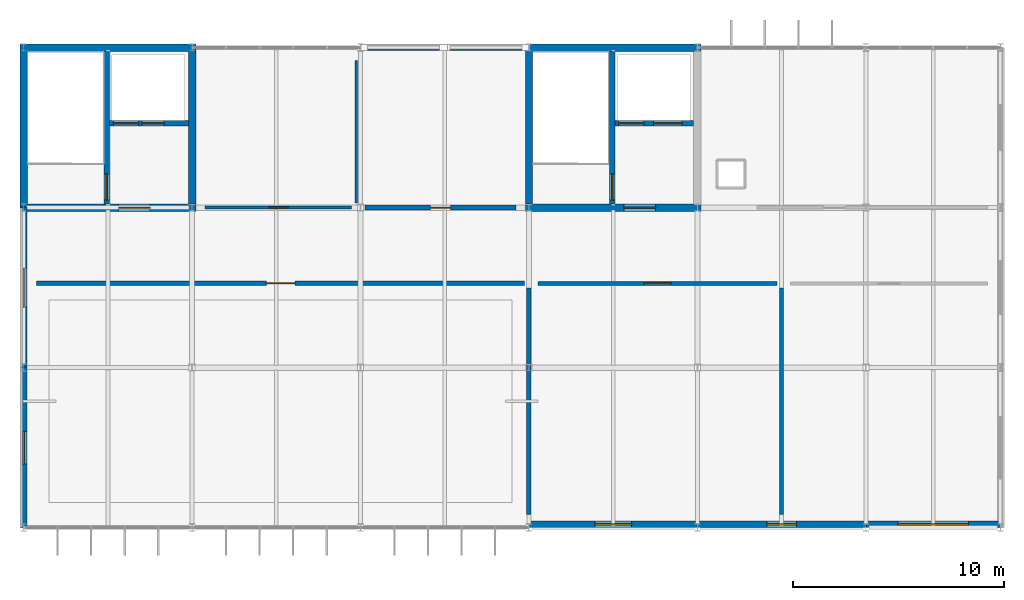
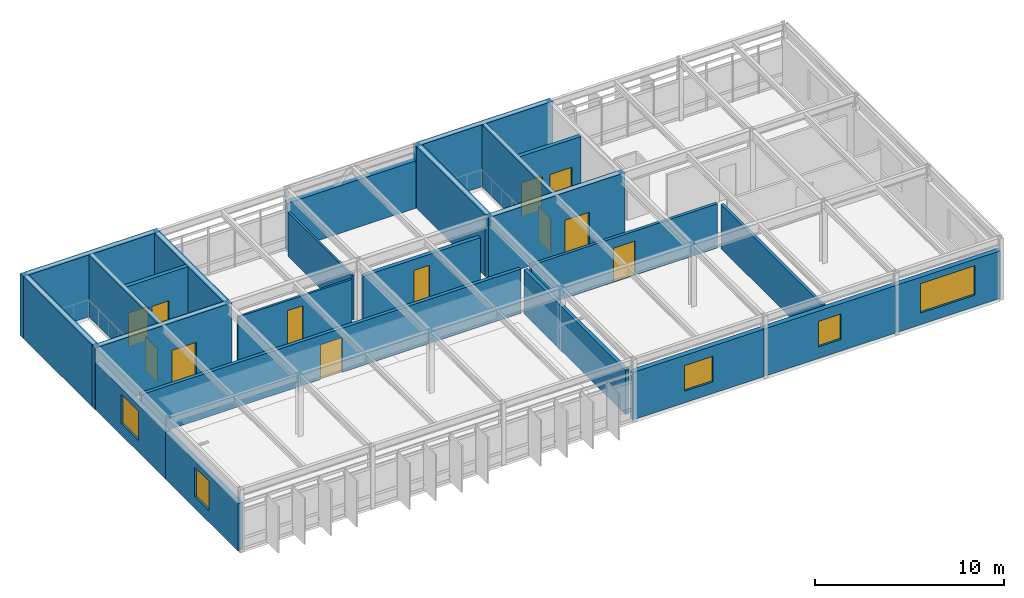
# One storey, part 14 of 17: 24 walls, 12 doors, 5 windows, 17 openings.
"""IFC4 building model written with IfcOpenShell, lengths in metres."""

import ifcopenshell
import ifcopenshell.guid

model = None  # the IFC model being written
_history = None  # IfcOwnerHistory: only IFC2X3 demands one
_inside = {}  # id of a spatial element -> (the spatial element, [elements in it])
_under = {}  # id of a project, library or spatial element -> (it, [spatial elements below it])
_declared = {}  # id of a project -> (the project, [libraries it declares])
_typed = {}  # id of a type object -> (the type object, [elements of that type])
_made_of = {}  # id of a material, layer set ... -> (it, [elements and type objects made of it])


def new_model(schema):
    """Start an empty IFC model of exactly this schema.

    Asked for "IFC4X3", IfcOpenShell would pick the latest addendum, in which some entities
    have other attributes; the version numbers below select the first issue.
    IFC2X3 requires an IfcOwnerHistory on every rooted entity: one is made here for all.
    """
    global model, _history
    if schema == "IFC4X3":
        model = ifcopenshell.file(schema_version=(4, 3, 0, 0))
    else:
        model = ifcopenshell.file(schema=schema)
    _inside.clear()
    _under.clear()
    _declared.clear()
    _typed.clear()
    _made_of.clear()
    _history = None
    if model.schema == "IFC2X3":
        org = make("IfcOrganization", Name="unknown")
        user = make(
            "IfcPersonAndOrganization",
            ThePerson=make("IfcPerson", FamilyName="unknown"),
            TheOrganization=org,
        )
        app = make(
            "IfcApplication",
            ApplicationDeveloper=org,
            Version="unknown",
            ApplicationFullName="unknown",
            ApplicationIdentifier="unknown",
        )
        _history = make(
            "IfcOwnerHistory",
            OwningUser=user,
            OwningApplication=app,
            ChangeAction="ADDED",
            CreationDate=0,
        )
    return model


def make(cls, **values):
    """One entity of the class cls with the attributes given. An attribute that is None is left unset."""
    return model.create_entity(
        cls, **{name: value for name, value in values.items() if value is not None}
    )


def rooted(cls, **values):
    """An entity with a GlobalId (a new one), such as an element, a storey or a relation."""
    return make(cls, GlobalId=ifcopenshell.guid.new(), OwnerHistory=_history, **values)


def si_unit(unit_type, name, prefix=None):
    """IfcSIUnit, for example si_unit("LENGTHUNIT", "METRE", prefix="MILLI")."""
    return make("IfcSIUnit", UnitType=unit_type, Prefix=prefix, Name=name)


def assignment(units):
    """IfcUnitAssignment: the units of a project."""
    return None if units is None else make("IfcUnitAssignment", Units=units)


def point(xyz):
    """IfcCartesianPoint."""
    return None if xyz is None else make("IfcCartesianPoint", Coordinates=xyz)


def direction(xyz):
    """IfcDirection."""
    return None if xyz is None else make("IfcDirection", DirectionRatios=xyz)


def frame(location, z_axis=None, x_axis=None):
    """IfcAxis2Placement3D, a coordinate frame: its origin and axes. An axis left out is left unset."""
    return make(
        "IfcAxis2Placement3D",
        Location=point(location),
        Axis=direction(z_axis),
        RefDirection=direction(x_axis),
    )


def frame_2d(location, x_axis=None):
    """IfcAxis2Placement2D, a coordinate frame in the plane: its origin and x axis."""
    return make(
        "IfcAxis2Placement2D", Location=point(location), RefDirection=direction(x_axis)
    )


def origin():
    """The frame at (0, 0, 0) with its axes left unset."""
    return frame((0.0, 0.0, 0.0))


def place(relative_to, where):
    """IfcLocalPlacement: puts the frame where relative to a parent placement (None: the world)."""
    return make(
        "IfcLocalPlacement", PlacementRelTo=relative_to, RelativePlacement=where
    )


def context(
    kind, dimensions, precision=None, world=None, true_north=None, identifier=None
):
    """IfcGeometricRepresentationContext, for example the 3D "Model" context."""
    return make(
        "IfcGeometricRepresentationContext",
        ContextIdentifier=identifier,
        ContextType=kind,
        CoordinateSpaceDimension=dimensions,
        Precision=precision,
        WorldCoordinateSystem=world,
        TrueNorth=true_north,
    )


def subcontext(parent, identifier, kind, view, scale=None):
    """IfcGeometricRepresentationSubContext, for example "Body" below "Model"."""
    return make(
        "IfcGeometricRepresentationSubContext",
        ContextIdentifier=identifier,
        ContextType=kind,
        ParentContext=parent,
        TargetScale=scale,
        TargetView=view,
    )


def project(units=None, contexts=None):
    """IfcProject with its units and contexts."""
    return rooted(
        "IfcProject",
        Name="project",
        RepresentationContexts=contexts,
        UnitsInContext=assignment(units),
    )


def spatial(cls, under=None, at=None, **own):
    """A site, building, storey or space (cls), placed at a placement, below another one or the project."""
    s = rooted(cls, ObjectPlacement=at, **own)
    if under is not None:
        _under.setdefault(under.id(), (under, []))[1].append(s)
    return s


def profile(cls, at=None, kind="AREA", **sizes):
    """A parametric profile (cls). Its sizes go by their IFC names, for example OverallWidth=200.0."""
    return make(cls, ProfileType=kind, Position=at, **sizes)


def rectangle(**sizes):
    """IfcRectangleProfileDef."""
    return profile("IfcRectangleProfileDef", **sizes)


def extrude(swept, where, along, depth):
    """IfcExtrudedAreaSolid: the profile swept, set in the frame where, extruded along a direction by depth."""
    return make(
        "IfcExtrudedAreaSolid",
        SweptArea=swept,
        Position=where,
        ExtrudedDirection=direction(along),
        Depth=depth,
    )


def shape(context_of_items, identifier, shape_type, items):
    """IfcShapeRepresentation: the items that make up one representation, for example the "Body"."""
    return make(
        "IfcShapeRepresentation",
        ContextOfItems=context_of_items,
        RepresentationIdentifier=identifier,
        RepresentationType=shape_type,
        Items=items,
    )


def material(Name=None, Category=None):
    """IfcMaterial."""
    return make("IfcMaterial", Name=Name, Category=Category)


def layer(
    of_material, thickness, ventilated=None, Name=None, Category=None, Priority=None
):
    """IfcMaterialLayer: one layer of a wall or slab, of a material (None: an air gap)."""
    return make(
        "IfcMaterialLayer",
        Material=of_material,
        LayerThickness=thickness,
        IsVentilated=ventilated,
        Name=Name,
        Category=Category,
        Priority=Priority,
    )


def layer_set(layers, Name=None):
    """IfcMaterialLayerSet."""
    return make("IfcMaterialLayerSet", MaterialLayers=layers, LayerSetName=Name)


def made_of(thing, what):
    """Note that an element or type object is made of a material, layer set ...; save() writes the relation."""
    if what is not None:
        _made_of.setdefault(what.id(), (what, []))[1].append(thing)
    return thing


def type_object(cls, material=None, **own):
    """A type object (cls), such as IfcWallType, which elements share."""
    return made_of(rooted(cls, **own), material)


def element(
    cls,
    number,
    at=None,
    inside=None,
    cuts=None,
    type_object=None,
    material=None,
    context=None,
    identifier="Body",
    shape_type=None,
    held_by="IfcProductDefinitionShape",
    body=None,
    shapes=None,
    **own,
):
    """One element of the class cls, such as IfcWall. Its Tag is "e" and its number.

    at: its placement. inside: the storey or other place that contains it. cuts: it is an
    opening in that element (IfcRelVoidsElement). A single representation is given by context,
    identifier, shape_type and body (its items); several are given by shapes. held_by: the class
    of the entity that holds the representations. save() writes the other relations.
    """
    e = rooted(cls, Tag="e%d" % number, ObjectPlacement=at, **own)
    if body is not None:
        shapes = [shape(context, identifier, shape_type, body)]
    if shapes is not None:
        e.Representation = make(held_by, Representations=shapes)
    if inside is not None:
        _inside.setdefault(inside.id(), (inside, []))[1].append(e)
    if cuts is not None:
        rooted(
            "IfcRelVoidsElement", RelatingBuildingElement=cuts, RelatedOpeningElement=e
        )
    if type_object is not None:
        _typed.setdefault(type_object.id(), (type_object, []))[1].append(e)
    return made_of(e, material)


def fill(opening, filler):
    """IfcRelFillsElement: the door or window that sits in an opening."""
    return rooted(
        "IfcRelFillsElement",
        RelatingOpeningElement=opening,
        RelatedBuildingElement=filler,
    )


def aggregate(whole, parts):
    """IfcRelAggregates: a whole, such as a stair, and the parts it consists of."""
    return rooted("IfcRelAggregates", RelatingObject=whole, RelatedObjects=parts)


def save(model, path):
    """Write the relations noted so far, then the file.

    IfcRelAggregates (storeys below a building ...), IfcRelContainedInSpatialStructure (elements
    in a storey), IfcRelDefinesByType, IfcRelAssociatesMaterial and IfcRelDeclares: one each for
    every whole, place, type object, material and project.
    """
    for whole, parts in _under.values():
        aggregate(whole, parts)
    for where, things in _inside.values():
        rooted(
            "IfcRelContainedInSpatialStructure",
            RelatedElements=things,
            RelatingStructure=where,
        )
    for kind, things in _typed.values():
        rooted("IfcRelDefinesByType", RelatedObjects=things, RelatingType=kind)
    for what, things in _made_of.values():
        rooted("IfcRelAssociatesMaterial", RelatedObjects=things, RelatingMaterial=what)
    for by, libraries in _declared.values():
        rooted("IfcRelDeclares", RelatingContext=by, RelatedDefinitions=libraries)
    model.write(path)


model = new_model("IFC4")

# Units and contexts
model_context = context("Model", 3, precision=1e-05, world=origin(), true_north=direction((0.0, 1.0)))
body_context = subcontext(model_context, "Body", "Model", "MODEL_VIEW")
ifc_project = project(units=[si_unit("LENGTHUNIT", "METRE"), si_unit("AREAUNIT", "SQUARE_METRE"), si_unit("VOLUMEUNIT", "CUBIC_METRE"), si_unit("PLANEANGLEUNIT", "RADIAN"), si_unit("MASSUNIT", "GRAM", prefix="KILO")], contexts=[model_context])

# Site, building, storey
site_placement = place(None, origin())
site = spatial("IfcSite", under=ifc_project, at=site_placement, CompositionType="ELEMENT")
building_placement = place(site_placement, origin())
building = spatial("IfcBuilding", under=site, at=building_placement, Name="Zulena Civic Courthouse", CompositionType="ELEMENT")
storey_placement = place(building_placement, frame((0.0, 0.0, 42.0)))
storey = spatial("IfcBuildingStorey", under=building, at=storey_placement, Name="L09", CompositionType="ELEMENT", Elevation=42.0)

# Wall, opening, door
ifc_material_1 = material(Name="Concrete C40/50", Category="concrete")
ifc_layer_1 = layer(ifc_material_1, 0.25)
ifc_layer_set_1 = layer_set([ifc_layer_1], Name="Concrete C40/50")
wall_type_1 = type_object("IfcWallType", Name="CoreShearWall_RC250", PredefinedType="SHEAR", material=ifc_layer_set_1)
wall_1_placement = place(storey_placement, frame((23.949951171875, 15.375, 0.0), z_axis=(0.0, 0.0, 1.0), x_axis=(0.0, 1.0, 0.0)))
wall_1 = element("IfcWall", 1, at=wall_1_placement, inside=storey, type_object=wall_type_1, Name="cwall:K2A:L09:DIV", PredefinedType="SHEAR", context=body_context, shape_type="SweptSolid", body=[
    extrude(rectangle(XDim=7.25, YDim=0.25, at=frame_2d((3.625, 0.0))), origin(), (0.0, 0.0, 1.0), 3.989990234375),
])
opening_1_placement = place(wall_1_placement, frame((0.179931640625, 0.0, 0.0)))
opening_1 = element("IfcOpeningElement", 2, at=opening_1_placement, cuts=wall_1, Name="Opening ID06", PredefinedType="OPENING", context=body_context, shape_type="SweptSolid", body=[
    extrude(rectangle(XDim=1.25, YDim=2.199951171875, at=frame_2d((0.625, 1.10009765625))), frame((0.0, 0.135009765625, 0.0), z_axis=(0.0, -1.0, 0.0), x_axis=(1.0, 0.0, 0.0)), (0.0, 0.0, 1.0), 0.27001953125),
])
ifc_material_2 = material(Name="Fire-rated galvanised steel ASTM A653 Grade 50", Category="steel")
door_type_1 = type_object("IfcDoorType", Name="IntDoor_Stair_1250x2200", OperationType="NOTDEFINED", PredefinedType="DOOR", material=ifc_material_2)
door_1_placement = place(opening_1_placement, origin())
door_1 = element("IfcDoor", 3, at=door_1_placement, inside=storey, type_object=door_type_1, Name="door:stair:K2A:L09", OperationType="SINGLE_SWING_RIGHT", OverallHeight=2.199951171875, OverallWidth=1.25, PredefinedType="DOOR", context=body_context, shape_type="SweptSolid", body=[
    extrude(rectangle(XDim=1.25, YDim=2.199951171875, at=frame_2d((0.625, 1.10009765625))), frame((0.0, 0.02490234375, 0.0), z_axis=(0.0, -1.0, 0.0), x_axis=(1.0, 0.0, 0.0)), (0.0, 0.0, 1.0), 0.050048828125),
])
fill(opening_1, door_1)

# Wall, openings, doors
wall_2_placement = place(storey_placement, frame((24.074951171875, 19.199951171875, 0.0), z_axis=(0.0, 0.0, 1.0), x_axis=(1.0, 0.0, 0.0)))
wall_2 = element("IfcWall", 4, at=wall_2_placement, inside=storey, type_object=wall_type_1, Name="cwall:K2A:L09:SHF", PredefinedType="SHEAR", context=body_context, shape_type="SweptSolid", body=[
    extrude(rectangle(XDim=3.75, YDim=0.25, at=frame_2d((1.875, 0.0))), origin(), (0.0, 0.0, 1.0), 3.989990234375),
])
opening_2_placement = place(wall_2_placement, frame((0.179931640625, 0.0, 0.0)))
opening_2 = element("IfcOpeningElement", 5, at=opening_2_placement, cuts=wall_2, Name="Opening LD01", PredefinedType="OPENING", context=body_context, shape_type="SweptSolid", body=[
    extrude(rectangle(XDim=1.199951171875, YDim=2.199951171875, at=frame_2d((0.60009765625, 1.10009765625))), frame((0.0, 0.135009765625, 0.0), z_axis=(0.0, -1.0, 0.0), x_axis=(1.0, 0.0, 0.0)), (0.0, 0.0, 1.0), 0.27001953125),
])
opening_3_placement = place(wall_2_placement, frame((1.550048828125, 0.0, 0.0)))
opening_3 = element("IfcOpeningElement", 6, at=opening_3_placement, cuts=wall_2, Name="Opening LD03", PredefinedType="OPENING", context=body_context, shape_type="SweptSolid", body=[
    extrude(rectangle(XDim=1.050048828125, YDim=2.199951171875, at=frame_2d((0.52490234375, 1.10009765625))), frame((0.0, 0.135009765625, 0.0), z_axis=(0.0, -1.0, 0.0), x_axis=(1.0, 0.0, 0.0)), (0.0, 0.0, 1.0), 0.27001953125),
])
door_type_2 = type_object("IfcDoorType", Name="LiftLandingDoor_FF_1200x2200", OperationType="SLIDING_TO_LEFT", PredefinedType="DOOR", material=ifc_material_2)
door_2_placement = place(opening_2_placement, origin())
door_2 = element("IfcDoor", 7, at=door_2_placement, inside=storey, type_object=door_type_2, Name="door:ld:FL-01:L09", OperationType="SLIDING_TO_LEFT", OverallHeight=2.199951171875, OverallWidth=1.199951171875, PredefinedType="DOOR", context=body_context, shape_type="SweptSolid", body=[
    extrude(rectangle(XDim=1.199951171875, YDim=2.199951171875, at=frame_2d((0.60009765625, 1.10009765625))), frame((0.0, 0.02490234375, 0.0), z_axis=(0.0, -1.0, 0.0), x_axis=(1.0, 0.0, 0.0)), (0.0, 0.0, 1.0), 0.050048828125),
])
fill(opening_2, door_2)
door_type_3 = type_object("IfcDoorType", Name="LiftLandingDoor_Jud_1050x2200", OperationType="SLIDING_TO_RIGHT", PredefinedType="DOOR", material=ifc_material_2)
door_3_placement = place(opening_3_placement, origin())
door_3 = element("IfcDoor", 8, at=door_3_placement, inside=storey, type_object=door_type_3, Name="door:ld:JL-01:L09", OperationType="SLIDING_TO_RIGHT", OverallHeight=2.199951171875, OverallWidth=1.050048828125, PredefinedType="DOOR", context=body_context, shape_type="SweptSolid", body=[
    extrude(rectangle(XDim=1.050048828125, YDim=2.199951171875, at=frame_2d((0.52490234375, 1.10009765625))), frame((0.0, 0.02490234375, 0.0), z_axis=(0.0, -1.0, 0.0), x_axis=(1.0, 0.0, 0.0)), (0.0, 0.0, 1.0), 0.050048828125),
])
fill(opening_3, door_3)

# Wall, opening, door
wall_3_placement = place(storey_placement, frame((47.949951171875, 15.375, 0.0), z_axis=(0.0, 0.0, 1.0), x_axis=(0.0, 1.0, 0.0)))
wall_3 = element("IfcWall", 9, at=wall_3_placement, inside=storey, type_object=wall_type_1, Name="cwall:K2B:L09:DIV", PredefinedType="SHEAR", context=body_context, shape_type="SweptSolid", body=[
    extrude(rectangle(XDim=7.25, YDim=0.25, at=frame_2d((3.625, 0.0))), origin(), (0.0, 0.0, 1.0), 3.989990234375),
])
opening_4_placement = place(wall_3_placement, frame((0.179931640625, 0.0, 0.0)))
opening_4 = element("IfcOpeningElement", 10, at=opening_4_placement, cuts=wall_3, Name="Opening ID06", PredefinedType="OPENING", context=body_context, shape_type="SweptSolid", body=[
    extrude(rectangle(XDim=1.25, YDim=2.199951171875, at=frame_2d((0.625, 1.10009765625))), frame((0.0, 0.135009765625, 0.0), z_axis=(0.0, -1.0, 0.0), x_axis=(1.0, 0.0, 0.0)), (0.0, 0.0, 1.0), 0.27001953125),
])
door_4_placement = place(opening_4_placement, origin())
door_4 = element("IfcDoor", 11, at=door_4_placement, inside=storey, type_object=door_type_1, Name="door:stair:K2B:L09", OperationType="SINGLE_SWING_RIGHT", OverallHeight=2.199951171875, OverallWidth=1.25, PredefinedType="DOOR", context=body_context, shape_type="SweptSolid", body=[
    extrude(rectangle(XDim=1.25, YDim=2.199951171875, at=frame_2d((0.625, 1.10009765625))), frame((0.0, 0.02490234375, 0.0), z_axis=(0.0, -1.0, 0.0), x_axis=(1.0, 0.0, 0.0)), (0.0, 0.0, 1.0), 0.050048828125),
])
fill(opening_4, door_4)

# Wall, openings, doors
wall_4_placement = place(storey_placement, frame((48.074951171875, 19.199951171875, 0.0), z_axis=(0.0, 0.0, 1.0), x_axis=(1.0, 0.0, 0.0)))
wall_4 = element("IfcWall", 12, at=wall_4_placement, inside=storey, type_object=wall_type_1, Name="cwall:K2B:L09:SHF", PredefinedType="SHEAR", context=body_context, shape_type="SweptSolid", body=[
    extrude(rectangle(XDim=3.75, YDim=0.25, at=frame_2d((1.875, 0.0))), origin(), (0.0, 0.0, 1.0), 3.989990234375),
])
opening_5_placement = place(wall_4_placement, frame((0.179931640625, 0.0, 0.0)))
opening_5 = element("IfcOpeningElement", 13, at=opening_5_placement, cuts=wall_4, Name="Opening LD01", PredefinedType="OPENING", context=body_context, shape_type="SweptSolid", body=[
    extrude(rectangle(XDim=1.199951171875, YDim=2.199951171875, at=frame_2d((0.60009765625, 1.10009765625))), frame((0.0, 0.135009765625, 0.0), z_axis=(0.0, -1.0, 0.0), x_axis=(1.0, 0.0, 0.0)), (0.0, 0.0, 1.0), 0.27001953125),
])
opening_6_placement = place(wall_4_placement, frame((1.85009765625, 0.0, 0.0)))
opening_6 = element("IfcOpeningElement", 14, at=opening_6_placement, cuts=wall_4, Name="Opening LD04", PredefinedType="OPENING", context=body_context, shape_type="SweptSolid", body=[
    extrude(rectangle(XDim=1.35009765625, YDim=2.199951171875, at=frame_2d((0.675048828125, 1.10009765625))), frame((0.0, 0.135009765625, 0.0), z_axis=(0.0, -1.0, 0.0), x_axis=(1.0, 0.0, 0.0)), (0.0, 0.0, 1.0), 0.27001953125),
])
door_5_placement = place(opening_5_placement, origin())
door_5 = element("IfcDoor", 15, at=door_5_placement, inside=storey, type_object=door_type_2, Name="door:ld:FL-02:L09", OperationType="SLIDING_TO_LEFT", OverallHeight=2.199951171875, OverallWidth=1.199951171875, PredefinedType="DOOR", context=body_context, shape_type="SweptSolid", body=[
    extrude(rectangle(XDim=1.199951171875, YDim=2.199951171875, at=frame_2d((0.60009765625, 1.10009765625))), frame((0.0, 0.02490234375, 0.0), z_axis=(0.0, -1.0, 0.0), x_axis=(1.0, 0.0, 0.0)), (0.0, 0.0, 1.0), 0.050048828125),
])
fill(opening_5, door_5)
door_type_4 = type_object("IfcDoorType", Name="LiftLandingDoor_Goods_1350x2300", OperationType="DOUBLE_DOOR_SLIDING", PredefinedType="DOOR", material=ifc_material_2)
door_6_placement = place(opening_6_placement, origin())
door_6 = element("IfcDoor", 16, at=door_6_placement, inside=storey, type_object=door_type_4, Name="door:ld:CL-01:L09", OperationType="DOUBLE_DOOR_SLIDING", OverallHeight=2.199951171875, OverallWidth=1.35009765625, PredefinedType="DOOR", context=body_context, shape_type="SweptSolid", body=[
    extrude(rectangle(XDim=1.35009765625, YDim=2.199951171875, at=frame_2d((0.675048828125, 1.10009765625))), frame((0.0, 0.02490234375, 0.0), z_axis=(0.0, -1.0, 0.0), x_axis=(1.0, 0.0, 0.0)), (0.0, 0.0, 1.0), 0.050048828125),
])
fill(opening_6, door_6)

# Wall, opening, door
ifc_layer_2 = layer(ifc_material_1, 0.35009765625)
ifc_layer_set_2 = layer_set([ifc_layer_2], Name="Concrete C40/50")
wall_type_2 = type_object("IfcWallType", Name="CoreShearWall_RC350", PredefinedType="SHEAR", material=ifc_layer_set_2)
wall_5_placement = place(storey_placement, frame((19.824951171875, 15.199951171875, 0.0), z_axis=(0.0, 0.0, 1.0), x_axis=(1.0, 0.0, 0.0)))
wall_5 = element("IfcWall", 17, at=wall_5_placement, inside=storey, type_object=wall_type_2, Name="cwall:K2A:L09:S", PredefinedType="SHEAR", context=body_context, shape_type="SweptSolid", body=[
    extrude(rectangle(XDim=8.35009765625, YDim=0.35009765625, at=frame_2d((4.175048828125, 0.0))), origin(), (0.0, 0.0, 1.0), 3.989990234375),
])
opening_7_placement = place(wall_5_placement, frame((4.68505859375, 0.0, 0.0)))
opening_7 = element("IfcOpeningElement", 18, at=opening_7_placement, cuts=wall_5, Name="Opening ID05", PredefinedType="OPENING", context=body_context, shape_type="SweptSolid", body=[
    extrude(rectangle(XDim=1.5, YDim=2.199951171875, at=frame_2d((0.75, 1.10009765625))), frame((0.0, 0.18505859375, 0.0), z_axis=(0.0, -1.0, 0.0), x_axis=(1.0, 0.0, 0.0)), (0.0, 0.0, 1.0), 0.3701171875),
])
door_type_5 = type_object("IfcDoorType", Name="IntDoor_FFLobby_1500x2200", OperationType="DOUBLE_DOOR_SINGLE_SWING", PredefinedType="DOOR", material=ifc_material_2)
door_7_placement = place(opening_7_placement, origin())
door_7 = element("IfcDoor", 19, at=door_7_placement, inside=storey, type_object=door_type_5, Name="door:corelob:K2A:L09", OperationType="DOUBLE_DOOR_SINGLE_SWING", OverallHeight=2.199951171875, OverallWidth=1.5, PredefinedType="DOOR", context=body_context, shape_type="SweptSolid", body=[
    extrude(rectangle(XDim=1.5, YDim=2.199951171875, at=frame_2d((0.75, 1.10009765625))), frame((0.0, 0.02490234375, 0.0), z_axis=(0.0, -1.0, 0.0), x_axis=(1.0, 0.0, 0.0)), (0.0, 0.0, 1.0), 0.050048828125),
])
fill(opening_7, door_7)

# Walls
wall_6_placement = place(storey_placement, frame((19.824951171875, 22.800048828125, 0.0), z_axis=(0.0, 0.0, 1.0), x_axis=(1.0, 0.0, 0.0)))
element("IfcWall", 20, at=wall_6_placement, inside=storey, type_object=wall_type_2, Name="cwall:K2A:L09:N", PredefinedType="SHEAR", context=body_context, shape_type="SweptSolid", body=[
    extrude(rectangle(XDim=8.35009765625, YDim=0.35009765625, at=frame_2d((4.175048828125, 0.0))), origin(), (0.0, 0.0, 1.0), 3.989990234375),
])
for number, where, z_axis, x_axis, name in (
    (21, (20.0, 15.375, 0.0), (0.0, 0.0, 1.0), (0.0, 1.0, 0.0), "cwall:K2A:L09:W"),
    (22, (28.0, 15.375, 0.0), (0.0, 0.0, 1.0), (0.0, 1.0, 0.0), "cwall:K2A:L09:E"),
):
    element("IfcWall", number, at=place(storey_placement, frame(where, z_axis=z_axis, x_axis=x_axis)), inside=storey, type_object=wall_type_2, Name=name, PredefinedType="SHEAR", context=body_context, shape_type="SweptSolid", body=[
        extrude(rectangle(XDim=7.25, YDim=0.35009765625, at=frame_2d((3.625, 0.0))), origin(), (0.0, 0.0, 1.0), 3.989990234375),
    ])

# Wall, opening, door
wall_7_placement = place(storey_placement, frame((43.824951171875, 15.199951171875, 0.0), z_axis=(0.0, 0.0, 1.0), x_axis=(1.0, 0.0, 0.0)))
wall_7 = element("IfcWall", 23, at=wall_7_placement, inside=storey, type_object=wall_type_2, Name="cwall:K2B:L09:S", PredefinedType="SHEAR", context=body_context, shape_type="SweptSolid", body=[
    extrude(rectangle(XDim=8.35009765625, YDim=0.35009765625, at=frame_2d((4.175048828125, 0.0))), origin(), (0.0, 0.0, 1.0), 3.989990234375),
])
opening_8_placement = place(wall_7_placement, frame((4.68505859375, 0.0, 0.0)))
opening_8 = element("IfcOpeningElement", 24, at=opening_8_placement, cuts=wall_7, Name="Opening ID05", PredefinedType="OPENING", context=body_context, shape_type="SweptSolid", body=[
    extrude(rectangle(XDim=1.5, YDim=2.199951171875, at=frame_2d((0.75, 1.10009765625))), frame((0.0, 0.18505859375, 0.0), z_axis=(0.0, -1.0, 0.0), x_axis=(1.0, 0.0, 0.0)), (0.0, 0.0, 1.0), 0.3701171875),
])
door_8_placement = place(opening_8_placement, origin())
door_8 = element("IfcDoor", 25, at=door_8_placement, inside=storey, type_object=door_type_5, Name="door:corelob:K2B:L09", OperationType="DOUBLE_DOOR_SINGLE_SWING", OverallHeight=2.199951171875, OverallWidth=1.5, PredefinedType="DOOR", context=body_context, shape_type="SweptSolid", body=[
    extrude(rectangle(XDim=1.5, YDim=2.199951171875, at=frame_2d((0.75, 1.10009765625))), frame((0.0, 0.02490234375, 0.0), z_axis=(0.0, -1.0, 0.0), x_axis=(1.0, 0.0, 0.0)), (0.0, 0.0, 1.0), 0.050048828125),
])
fill(opening_8, door_8)

# Walls
wall_8_placement = place(storey_placement, frame((43.824951171875, 22.800048828125, 0.0), z_axis=(0.0, 0.0, 1.0), x_axis=(1.0, 0.0, 0.0)))
element("IfcWall", 26, at=wall_8_placement, inside=storey, type_object=wall_type_2, Name="cwall:K2B:L09:N", PredefinedType="SHEAR", context=body_context, shape_type="SweptSolid", body=[
    extrude(rectangle(XDim=8.35009765625, YDim=0.35009765625, at=frame_2d((4.175048828125, 0.0))), origin(), (0.0, 0.0, 1.0), 3.989990234375),
])
wall_9_placement = place(storey_placement, frame((44.0, 15.375, 0.0), z_axis=(0.0, 0.0, 1.0), x_axis=(0.0, 1.0, 0.0)))
element("IfcWall", 27, at=wall_9_placement, inside=storey, type_object=wall_type_2, Name="cwall:K2B:L09:W", PredefinedType="SHEAR", context=body_context, shape_type="SweptSolid", body=[
    extrude(rectangle(XDim=7.25, YDim=0.35009765625, at=frame_2d((3.625, 0.0))), origin(), (0.0, 0.0, 1.0), 3.989990234375),
])

# Wall, opening, window
ifc_material_3 = material(Name="White architectural precast concrete C40/50", Category="concrete")
ifc_layer_3 = layer(ifc_material_3, 0.300048828125)
ifc_layer_set_3 = layer_set([ifc_layer_3], Name="White architectural precast concrete C40/50")
wall_type_3 = type_object("IfcWallType", Name="ExtWall_WhitePrecast_300", PredefinedType="STANDARD", material=ifc_layer_set_3)
wall_10_placement = place(storey_placement, frame((20.0, -0.02001953125, 0.0), z_axis=(0.0, 0.0, 1.0), x_axis=(0.0, 1.0, 0.0)))
wall_10 = element("IfcWall", 28, at=wall_10_placement, inside=storey, type_object=wall_type_3, Name="ewall:V2:L09:0:0", PredefinedType="STANDARD", context=body_context, shape_type="SweptSolid", body=[
    extrude(rectangle(XDim=7.64013671875, YDim=0.300048828125, at=frame_2d((3.820068359375, 0.0))), origin(), (0.0, 0.0, 1.0), 3.06005859375),
])
opening_9_placement = place(wall_10_placement, frame((3.044921875, 0.0, 0.75)))
opening_9 = element("IfcOpeningElement", 29, at=opening_9_placement, cuts=wall_10, Name="Opening WN36", PredefinedType="OPENING", context=body_context, shape_type="SweptSolid", body=[
    extrude(rectangle(XDim=1.550048828125, YDim=1.89990234375, at=frame_2d((0.77490234375, 0.949951171875))), frame((0.0, 0.159912109375, 0.0), z_axis=(0.0, -1.0, 0.0), x_axis=(1.0, 0.0, 0.0)), (0.0, 0.0, 1.0), 0.320068359375),
])
ifc_material_4 = material(Name="Double-silver low-E laminated solar-control glass", Category="glass")
window_type_1 = type_object("IfcWindowType", Name="Win_1550x1900", PartitioningType="SINGLE_PANEL", PredefinedType="WINDOW", material=ifc_material_4)
window_1_placement = place(opening_9_placement, origin())
window_1 = element("IfcWindow", 30, at=window_1_placement, inside=storey, type_object=window_type_1, Name="win:V2:L09:0:0", OverallHeight=1.89990234375, OverallWidth=1.550048828125, PartitioningType="SINGLE_PANEL", PredefinedType="WINDOW", context=body_context, shape_type="SweptSolid", body=[
    extrude(rectangle(XDim=1.550048828125, YDim=1.89990234375, at=frame_2d((0.77490234375, 0.949951171875))), frame((0.0, 0.030029296875, 0.0), z_axis=(0.0, -1.0, 0.0), x_axis=(1.0, 0.0, 0.0)), (0.0, 0.0, 1.0), 0.06005859375),
])
fill(opening_9, window_1)

wall_11_placement = place(storey_placement, frame((20.0, 7.580078125, 0.0), z_axis=(0.0, 0.0, 1.0), x_axis=(0.0, 1.0, 0.0)))
wall_11 = element("IfcWall", 31, at=wall_11_placement, inside=storey, type_object=wall_type_3, Name="ewall:V2:L09:0:1", PredefinedType="STANDARD", context=body_context, shape_type="SweptSolid", body=[
    extrude(rectangle(XDim=7.639892578125, YDim=0.300048828125, at=frame_2d((3.81982421875, 0.0))), origin(), (0.0, 0.0, 1.0), 3.06005859375),
])
opening_10_placement = place(wall_11_placement, frame((2.89501953125, 0.0, 0.75)))
opening_10 = element("IfcOpeningElement", 32, at=opening_10_placement, cuts=wall_11, Name="Opening WN37", PredefinedType="OPENING", context=body_context, shape_type="SweptSolid", body=[
    extrude(rectangle(XDim=1.85009765625, YDim=1.89990234375, at=frame_2d((0.925048828125, 0.949951171875))), frame((0.0, 0.159912109375, 0.0), z_axis=(0.0, -1.0, 0.0), x_axis=(1.0, 0.0, 0.0)), (0.0, 0.0, 1.0), 0.320068359375),
])
window_type_2 = type_object("IfcWindowType", Name="Win_1850x1900", PartitioningType="DOUBLE_PANEL_VERTICAL", PredefinedType="WINDOW", material=ifc_material_4)
window_2_placement = place(opening_10_placement, origin())
window_2 = element("IfcWindow", 33, at=window_2_placement, inside=storey, type_object=window_type_2, Name="win:V2:L09:0:1", OverallHeight=1.89990234375, OverallWidth=1.85009765625, PartitioningType="SINGLE_PANEL", PredefinedType="WINDOW", context=body_context, shape_type="SweptSolid", body=[
    extrude(rectangle(XDim=1.85009765625, YDim=1.89990234375, at=frame_2d((0.925048828125, 0.949951171875))), frame((0.0, 0.030029296875, 0.0), z_axis=(0.0, -1.0, 0.0), x_axis=(1.0, 0.0, 0.0)), (0.0, 0.0, 1.0), 0.06005859375),
])
fill(opening_10, window_2)

# Wall
wall_12_placement = place(storey_placement, frame((35.97998046875, 22.800048828125, 0.0), z_axis=(0.0, 0.0, 1.0), x_axis=(1.0, 0.0, 0.0)))
element("IfcWall", 34, at=wall_12_placement, inside=storey, type_object=wall_type_3, Name="ewall:V2:L09:1:2", PredefinedType="STANDARD", context=body_context, shape_type="SweptSolid", body=[
    extrude(rectangle(XDim=8.0400390625, YDim=0.300048828125, at=frame_2d((4.02001953125, 0.0))), origin(), (0.0, 0.0, 1.0), 3.06005859375),
])

# Wall, opening, window
wall_13_placement = place(storey_placement, frame((66.419921875, 0.159912109375, 0.0), z_axis=(0.0, 0.0, 1.0), x_axis=(-1.0, 0.0, 0.0)))
wall_13 = element("IfcWall", 35, at=wall_13_placement, inside=storey, type_object=wall_type_3, Name="ewall:V2:L09:3:0", PredefinedType="STANDARD", context=body_context, shape_type="SweptSolid", body=[
    extrude(rectangle(XDim=6.43994140625, YDim=0.300048828125, at=frame_2d((3.219970703125, 0.0))), origin(), (0.0, 0.0, 1.0), 3.06005859375),
])
opening_11_placement = place(wall_13_placement, frame((1.544921875, 0.0, 0.75)))
opening_11 = element("IfcOpeningElement", 36, at=opening_11_placement, cuts=wall_13, Name="Opening WN41", PredefinedType="OPENING", context=body_context, shape_type="SweptSolid", body=[
    extrude(rectangle(XDim=3.35009765625, YDim=1.89990234375, at=frame_2d((1.675048828125, 0.949951171875))), frame((0.0, 0.159912109375, 0.0), z_axis=(0.0, -1.0, 0.0), x_axis=(1.0, 0.0, 0.0)), (0.0, 0.0, 1.0), 0.320068359375),
])
window_type_3 = type_object("IfcWindowType", Name="Win_3350x1900", PartitioningType="DOUBLE_PANEL_VERTICAL", PredefinedType="WINDOW", material=ifc_material_4)
window_3_placement = place(opening_11_placement, origin())
window_3 = element("IfcWindow", 37, at=window_3_placement, inside=storey, type_object=window_type_3, Name="win:V2:L09:3:0", OverallHeight=1.89990234375, OverallWidth=3.35009765625, PartitioningType="SINGLE_PANEL", PredefinedType="WINDOW", context=body_context, shape_type="SweptSolid", body=[
    extrude(rectangle(XDim=3.35009765625, YDim=1.89990234375, at=frame_2d((1.675048828125, 0.949951171875))), frame((0.0, 0.030029296875, 0.0), z_axis=(0.0, -1.0, 0.0), x_axis=(1.0, 0.0, 0.0)), (0.0, 0.0, 1.0), 0.06005859375),
])
fill(opening_11, window_3)

wall_14_placement = place(storey_placement, frame((60.02001953125, 0.159912109375, 0.0), z_axis=(0.0, 0.0, 1.0), x_axis=(-1.0, 0.0, 0.0)))
wall_14 = element("IfcWall", 38, at=wall_14_placement, inside=storey, type_object=wall_type_3, Name="ewall:V2:L09:3:1", PredefinedType="STANDARD", context=body_context, shape_type="SweptSolid", body=[
    extrude(rectangle(XDim=8.0400390625, YDim=0.300048828125, at=frame_2d((4.02001953125, 0.0))), origin(), (0.0, 0.0, 1.0), 3.06005859375),
])
opening_12_placement = place(wall_14_placement, frame((3.320068359375, 0.0, 0.75)))
opening_12 = element("IfcOpeningElement", 39, at=opening_12_placement, cuts=wall_14, Name="Opening WN42", PredefinedType="OPENING", context=body_context, shape_type="SweptSolid", body=[
    extrude(rectangle(XDim=1.39990234375, YDim=1.64990234375, at=frame_2d((0.699951171875, 0.824951171875))), frame((0.0, 0.159912109375, 0.0), z_axis=(0.0, -1.0, 0.0), x_axis=(1.0, 0.0, 0.0)), (0.0, 0.0, 1.0), 0.320068359375),
])
window_type_4 = type_object("IfcWindowType", Name="Win_1400x1650", PartitioningType="SINGLE_PANEL", PredefinedType="WINDOW", material=ifc_material_4)
window_4_placement = place(opening_12_placement, origin())
window_4 = element("IfcWindow", 40, at=window_4_placement, inside=storey, type_object=window_type_4, Name="win:V2:L09:3:1", OverallHeight=1.64990234375, OverallWidth=1.39990234375, PartitioningType="SINGLE_PANEL", PredefinedType="WINDOW", context=body_context, shape_type="SweptSolid", body=[
    extrude(rectangle(XDim=1.39990234375, YDim=1.64990234375, at=frame_2d((0.699951171875, 0.824951171875))), frame((0.0, 0.030029296875, 0.0), z_axis=(0.0, -1.0, 0.0), x_axis=(1.0, 0.0, 0.0)), (0.0, 0.0, 1.0), 0.06005859375),
])
fill(opening_12, window_4)

wall_15_placement = place(storey_placement, frame((52.02001953125, 0.159912109375, 0.0), z_axis=(0.0, 0.0, 1.0), x_axis=(-1.0, 0.0, 0.0)))
wall_15 = element("IfcWall", 41, at=wall_15_placement, inside=storey, type_object=wall_type_3, Name="ewall:V2:L09:3:2", PredefinedType="STANDARD", context=body_context, shape_type="SweptSolid", body=[
    extrude(rectangle(XDim=8.0400390625, YDim=0.300048828125, at=frame_2d((4.02001953125, 0.0))), origin(), (0.0, 0.0, 1.0), 3.06005859375),
])
opening_13_placement = place(wall_15_placement, frame((3.14501953125, 0.0, 0.75)))
opening_13 = element("IfcOpeningElement", 42, at=opening_13_placement, cuts=wall_15, Name="Opening WN43", PredefinedType="OPENING", context=body_context, shape_type="SweptSolid", body=[
    extrude(rectangle(XDim=1.75, YDim=1.64990234375, at=frame_2d((0.875, 0.824951171875))), frame((0.0, 0.159912109375, 0.0), z_axis=(0.0, -1.0, 0.0), x_axis=(1.0, 0.0, 0.0)), (0.0, 0.0, 1.0), 0.320068359375),
])
window_type_5 = type_object("IfcWindowType", Name="Win_1750x1650", PartitioningType="SINGLE_PANEL", PredefinedType="WINDOW", material=ifc_material_4)
window_5_placement = place(opening_13_placement, origin())
window_5 = element("IfcWindow", 43, at=window_5_placement, inside=storey, type_object=window_type_5, Name="win:V2:L09:3:2", OverallHeight=1.64990234375, OverallWidth=1.75, PartitioningType="SINGLE_PANEL", PredefinedType="WINDOW", context=body_context, shape_type="SweptSolid", body=[
    extrude(rectangle(XDim=1.75, YDim=1.64990234375, at=frame_2d((0.875, 0.824951171875))), frame((0.0, 0.030029296875, 0.0), z_axis=(0.0, -1.0, 0.0), x_axis=(1.0, 0.0, 0.0)), (0.0, 0.0, 1.0), 0.06005859375),
])
fill(opening_13, window_5)

# Wall, opening, door
ifc_material_5 = material(Name="Acoustic fire-rated gypsum board assembly", Category="masonry")
ifc_layer_4 = layer(ifc_material_5, 0.177978515625)
ifc_layer_set_4 = layer_set([ifc_layer_4], Name="Acoustic fire-rated gypsum board assembly")
wall_type_4 = type_object("IfcWallType", Name="PartWall_Corridor_178", PredefinedType="PARTITIONING", material=ifc_layer_set_4)
wall_16_placement = place(storey_placement, frame((44.419921875, 11.60009765625, 0.0), z_axis=(0.0, 0.0, 1.0), x_axis=(1.0, 0.0, 0.0)))
wall_16 = element("IfcWall", 44, at=wall_16_placement, inside=storey, type_object=wall_type_4, Name="pwall:L09:366:0", PredefinedType="PARTITIONING", context=body_context, shape_type="SweptSolid", body=[
    extrude(rectangle(XDim=11.360107421875, YDim=0.177978515625, at=frame_2d((5.68017578125, 0.0))), origin(), (0.0, 0.0, 1.0), 2.85009765625),
])
opening_14_placement = place(wall_16_placement, frame((5.030029296875, 0.0, 0.0)))
opening_14 = element("IfcOpeningElement", 45, at=opening_14_placement, cuts=wall_16, Name="Opening ID20", PredefinedType="OPENING", context=body_context, shape_type="SweptSolid", body=[
    extrude(rectangle(XDim=1.300048828125, YDim=2.199951171875, at=frame_2d((0.64990234375, 1.10009765625))), frame((0.0, 0.098876953125, 0.0), z_axis=(0.0, -1.0, 0.0), x_axis=(1.0, 0.0, 0.0)), (0.0, 0.0, 1.0), 0.197998046875),
])
door_type_6 = type_object("IfcDoorType", Name="IntDoor_Archive_1300x2200", OperationType="NOTDEFINED", PredefinedType="DOOR", material=ifc_material_2)
door_9_placement = place(opening_14_placement, origin())
door_9 = element("IfcDoor", 46, at=door_9_placement, inside=storey, type_object=door_type_6, Name="door:rm:L09:366", OperationType="SINGLE_SWING_LEFT", OverallHeight=2.199951171875, OverallWidth=1.300048828125, PredefinedType="DOOR", context=body_context, shape_type="SweptSolid", body=[
    extrude(rectangle(XDim=1.300048828125, YDim=2.199951171875, at=frame_2d((0.64990234375, 1.10009765625))), frame((0.0, 0.02490234375, 0.0), z_axis=(0.0, -1.0, 0.0), x_axis=(1.0, 0.0, 0.0)), (0.0, 0.0, 1.0), 0.050048828125),
])
fill(opening_14, door_9)

# Wall
wall_17_placement = place(storey_placement, frame((56.0, 0.6201171875, 0.0), z_axis=(0.0, 0.0, 1.0), x_axis=(0.0, 1.0, 0.0)))
element("IfcWall", 47, at=wall_17_placement, inside=storey, type_object=wall_type_4, Name="pwall:L09:366:1", PredefinedType="PARTITIONING", context=body_context, shape_type="SweptSolid", body=[
    extrude(rectangle(XDim=10.759765625, YDim=0.177978515625, at=frame_2d((5.3798828125, 0.0))), origin(), (0.0, 0.0, 1.0), 2.85009765625),
])

# Wall, opening, door
ifc_layer_5 = layer(ifc_material_5, 0.215087890625)
ifc_layer_set_5 = layer_set([ifc_layer_5], Name="Acoustic fire-rated gypsum board assembly")
wall_type_5 = type_object("IfcWallType", Name="PartWall_CourtAcoustic_215", PredefinedType="PARTITIONING", material=ifc_layer_set_5)
wall_18_placement = place(storey_placement, frame((20.6201171875, 11.60009765625, 0.0), z_axis=(0.0, 0.0, 1.0), x_axis=(1.0, 0.0, 0.0)))
wall_18 = element("IfcWall", 48, at=wall_18_placement, inside=storey, type_object=wall_type_5, Name="pwall:L09:365:0", PredefinedType="PARTITIONING", context=body_context, shape_type="SweptSolid", body=[
    extrude(rectangle(XDim=23.159912109375, YDim=0.215087890625, at=frame_2d((11.580078125, 0.0))), origin(), (0.0, 0.0, 1.0), 2.85009765625),
])
opening_15_placement = place(wall_18_placement, frame((10.905029296875, 0.0, 0.0)))
opening_15 = element("IfcOpeningElement", 49, at=opening_15_placement, cuts=wall_18, Name="Opening ID19", PredefinedType="OPENING", context=body_context, shape_type="SweptSolid", body=[
    extrude(rectangle(XDim=1.35009765625, YDim=2.25, at=frame_2d((0.675048828125, 1.125))), frame((0.0, 0.117431640625, 0.0), z_axis=(0.0, -1.0, 0.0), x_axis=(1.0, 0.0, 0.0)), (0.0, 0.0, 1.0), 0.235107421875),
])
ifc_material_6 = material(Name="Solid-core acoustic hardwood timber", Category="wood")
door_type_7 = type_object("IfcDoorType", Name="IntDoor_Library_1350x2250", OperationType="NOTDEFINED", PredefinedType="DOOR", material=ifc_material_6)
door_10_placement = place(opening_15_placement, origin())
door_10 = element("IfcDoor", 50, at=door_10_placement, inside=storey, type_object=door_type_7, Name="door:rm:L09:365", OperationType="SINGLE_SWING_RIGHT", OverallHeight=2.25, OverallWidth=1.35009765625, PredefinedType="DOOR", context=body_context, shape_type="SweptSolid", body=[
    extrude(rectangle(XDim=1.35009765625, YDim=2.25, at=frame_2d((0.675048828125, 1.125))), frame((0.0, 0.02490234375, 0.0), z_axis=(0.0, -1.0, 0.0), x_axis=(1.0, 0.0, 0.0)), (0.0, 0.0, 1.0), 0.050048828125),
])
fill(opening_15, door_10)

# Wall
wall_19_placement = place(storey_placement, frame((44.0, 0.6201171875, 0.0), z_axis=(0.0, 0.0, 1.0), x_axis=(0.0, 1.0, 0.0)))
element("IfcWall", 51, at=wall_19_placement, inside=storey, type_object=wall_type_5, Name="pwall:L09:365:1", PredefinedType="PARTITIONING", context=body_context, shape_type="SweptSolid", body=[
    extrude(rectangle(XDim=10.759765625, YDim=0.215087890625, at=frame_2d((5.3798828125, 0.0))), origin(), (0.0, 0.0, 1.0), 2.85009765625),
])

# Wall, opening, door
ifc_material_7 = material(Name="Insulated blockwork masonry ASTM C90", Category="masonry")
ifc_layer_6 = layer(ifc_material_7, 0.239990234375)
ifc_layer_set_6 = layer_set([ifc_layer_6], Name="Insulated blockwork masonry ASTM C90")
wall_type_6 = type_object("IfcWallType", Name="PartWall_Custody_240", PredefinedType="PARTITIONING", material=ifc_layer_set_6)
wall_20_placement = place(storey_placement, frame((36.219970703125, 15.199951171875, 0.0), z_axis=(0.0, 0.0, 1.0), x_axis=(1.0, 0.0, 0.0)))
wall_20 = element("IfcWall", 52, at=wall_20_placement, inside=storey, type_object=wall_type_6, Name="pwall:L09:369:0", PredefinedType="PARTITIONING", context=body_context, shape_type="SweptSolid", body=[
    extrude(rectangle(XDim=7.159912109375, YDim=0.239990234375, at=frame_2d((3.580078125, 0.0))), origin(), (0.0, 0.0, 1.0), 2.85009765625),
])
opening_16_placement = place(wall_20_placement, frame((3.10498046875, 0.0, 0.0)))
opening_16 = element("IfcOpeningElement", 53, at=opening_16_placement, cuts=wall_20, Name="Opening ID23", PredefinedType="OPENING", context=body_context, shape_type="SweptSolid", body=[
    extrude(rectangle(XDim=0.949951171875, YDim=2.14990234375, at=frame_2d((0.47509765625, 1.074951171875))), frame((0.0, 0.1298828125, 0.0), z_axis=(0.0, -1.0, 0.0), x_axis=(1.0, 0.0, 0.0)), (0.0, 0.0, 1.0), 0.260009765625),
])
door_type_8 = type_object("IfcDoorType", Name="IntDoor_Restroom_950x2150", OperationType="NOTDEFINED", PredefinedType="DOOR", material=ifc_material_6)
door_11_placement = place(opening_16_placement, origin())
door_11 = element("IfcDoor", 54, at=door_11_placement, inside=storey, type_object=door_type_8, Name="door:rm:L09:369", OperationType="SINGLE_SWING_RIGHT", OverallHeight=2.14990234375, OverallWidth=0.949951171875, PredefinedType="DOOR", context=body_context, shape_type="SweptSolid", body=[
    extrude(rectangle(XDim=0.949951171875, YDim=2.14990234375, at=frame_2d((0.47509765625, 1.074951171875))), frame((0.0, 0.02490234375, 0.0), z_axis=(0.0, -1.0, 0.0), x_axis=(1.0, 0.0, 0.0)), (0.0, 0.0, 1.0), 0.050048828125),
])
fill(opening_16, door_11)

ifc_layer_7 = layer(ifc_material_7, 0.1279296875)
ifc_layer_set_7 = layer_set([ifc_layer_7], Name="Insulated blockwork masonry ASTM C90")
wall_type_7 = type_object("IfcWallType", Name="PartWall_WetRoom_128", PredefinedType="PARTITIONING", material=ifc_layer_set_7)
wall_21_placement = place(storey_placement, frame((28.6201171875, 15.199951171875, 0.0), z_axis=(0.0, 0.0, 1.0), x_axis=(1.0, 0.0, 0.0)))
wall_21 = element("IfcWall", 55, at=wall_21_placement, inside=storey, type_object=wall_type_7, Name="pwall:L09:368:0", PredefinedType="PARTITIONING", context=body_context, shape_type="SweptSolid", body=[
    extrude(rectangle(XDim=6.9599609375, YDim=0.1279296875, at=frame_2d((3.47998046875, 0.0))), origin(), (0.0, 0.0, 1.0), 2.85009765625),
])
opening_17_placement = place(wall_21_placement, frame((3.010009765625, 0.0, 0.0)))
opening_17 = element("IfcOpeningElement", 56, at=opening_17_placement, cuts=wall_21, Name="Opening ID22", PredefinedType="OPENING", context=body_context, shape_type="SweptSolid", body=[
    extrude(rectangle(XDim=0.93994140625, YDim=2.199951171875, at=frame_2d((0.469970703125, 1.10009765625))), frame((0.0, 0.073974609375, 0.0), z_axis=(0.0, -1.0, 0.0), x_axis=(1.0, 0.0, 0.0)), (0.0, 0.0, 1.0), 0.14794921875),
])
door_type_9 = type_object("IfcDoorType", Name="IntDoor_Witness_940x2200", OperationType="NOTDEFINED", PredefinedType="DOOR", material=ifc_material_6)
door_12_placement = place(opening_17_placement, origin())
door_12 = element("IfcDoor", 57, at=door_12_placement, inside=storey, type_object=door_type_9, Name="door:rm:L09:368", OperationType="SINGLE_SWING_LEFT", OverallHeight=2.199951171875, OverallWidth=0.93994140625, PredefinedType="DOOR", context=body_context, shape_type="SweptSolid", body=[
    extrude(rectangle(XDim=0.93994140625, YDim=2.199951171875, at=frame_2d((0.469970703125, 1.10009765625))), frame((0.0, 0.02490234375, 0.0), z_axis=(0.0, -1.0, 0.0), x_axis=(1.0, 0.0, 0.0)), (0.0, 0.0, 1.0), 0.050048828125),
])
fill(opening_17, door_12)

# Wall
wall_22_placement = place(storey_placement, frame((35.800048828125, 15.419921875, 0.0), z_axis=(0.0, 0.0, 1.0), x_axis=(0.0, 1.0, 0.0)))
element("IfcWall", 58, at=wall_22_placement, inside=storey, type_object=wall_type_7, Name="pwall:L09:368:1", PredefinedType="PARTITIONING", context=body_context, shape_type="SweptSolid", body=[
    extrude(rectangle(XDim=6.760009765625, YDim=0.1279296875, at=frame_2d((3.3798828125, 0.0))), origin(), (0.0, 0.0, 1.0), 2.85009765625),
])

save(model, "model.ifc")
